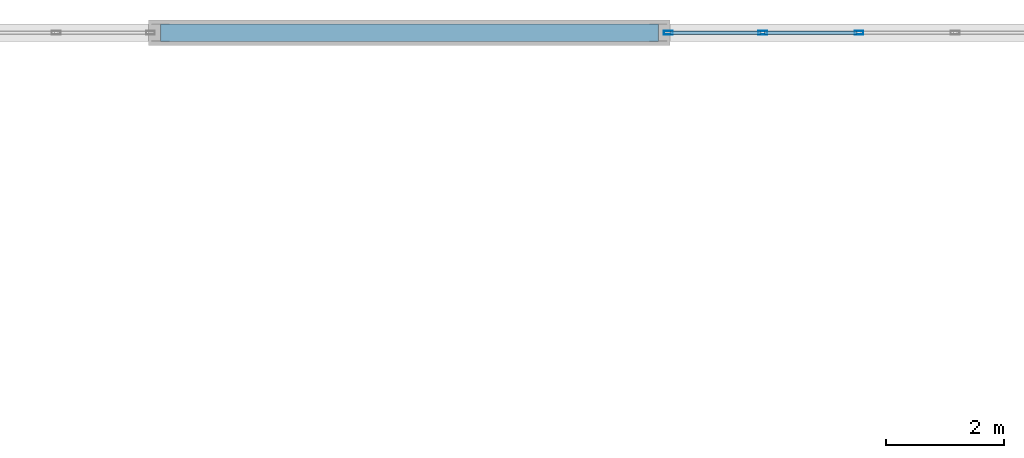
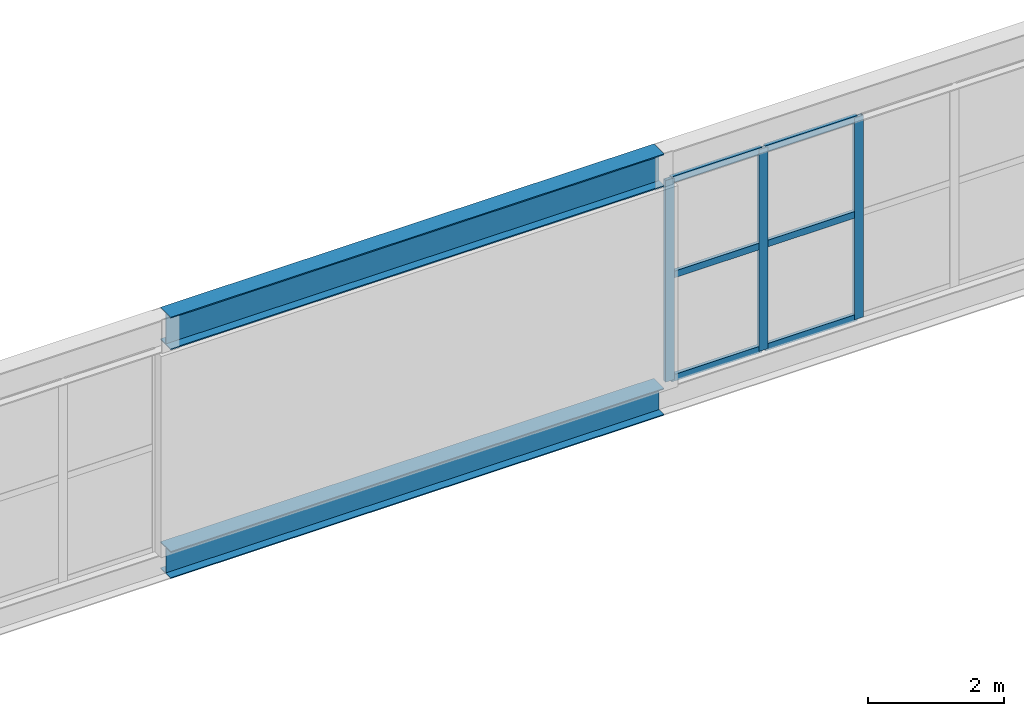
# One storey, part 176 of 218: 9 members, 2 beams, 1 element without a shape of its own.
"""IFC4 building model written with IfcOpenShell, lengths in metres."""

from ifc_helpers import new_model, si_unit, direction, frame, origin, origin_2d, place, context, subcontext, project, spatial, hollow_rectangle, i_section, extrude, material, material_profile, profile_set, type_object, element, aggregate, save


model = new_model("IFC4")

# Units and contexts
model_context = context("Model", 3, precision=1e-05, world=origin(), true_north=direction((0.0, 1.0)))
body_context = subcontext(model_context, "Body", "Model", "MODEL_VIEW")
ifc_project = project(units=[si_unit("LENGTHUNIT", "METRE"), si_unit("AREAUNIT", "SQUARE_METRE"), si_unit("VOLUMEUNIT", "CUBIC_METRE"), si_unit("PLANEANGLEUNIT", "RADIAN"), si_unit("MASSUNIT", "GRAM", prefix="KILO")], contexts=[model_context])

# Site, building, storey
site_placement = place(None, origin())
site = spatial("IfcSite", under=ifc_project, at=site_placement, CompositionType="ELEMENT")
building_placement = place(site_placement, origin())
building = spatial("IfcBuilding", under=site, at=building_placement, Name="Kazenagashi Tramway Depot", CompositionType="ELEMENT")
storey_placement = place(building_placement, frame((0.0, 0.0, 6.0)))
storey = spatial("IfcBuildingStorey", under=building, at=storey_placement, Name="L02", CompositionType="ELEMENT", Elevation=6.0)

# Curtain wall, members
ifc_material_1 = material(Name="Anodised Aluminium and Low-E Glazing", Category="aluminium")
curtain_wall_type = type_object("IfcCurtainWallType", Name="CW-15", PredefinedType="USERDEFINED", material=ifc_material_1)
curtain_wall_placement = place(storey_placement, origin())
curtain_wall = element("IfcCurtainWall", 1, at=curtain_wall_placement, inside=storey, type_object=curtain_wall_type, Name="Industrial Glazed Screen CW-15 CW-0094", ObjectType="GLAZED SCREEN", PredefinedType="USERDEFINED")
ifc_material_2 = material(Name="Anodised Aluminium", Category="aluminium")
ifc_material_profile_1 = material_profile(ifc_material_2, hollow_rectangle(XDim=0.06, YDim=0.15, WallThickness=0.004, at=origin_2d()), Name="RHS-150x60x4")
ifc_profile_set_1 = profile_set([ifc_material_profile_1], Name="Anodised Aluminium")
member_type_1 = type_object("IfcMemberType", Name="ML-01", PredefinedType="MULLION", material=ifc_profile_set_1)
member_1_placement = place(storey_placement, frame((187.77, 130.0, -0.02), z_axis=(0.0, 0.0, 1.0), x_axis=(0.0, 1.0, 0.0)))
member_1 = element("IfcMember", 2, at=member_1_placement, type_object=member_type_1, Name="CW-15 mullion 1", PredefinedType="MULLION", context=body_context, shape_type="SweptSolid", body=[
    extrude(hollow_rectangle(XDim=0.06, YDim=0.15, WallThickness=0.004, at=origin_2d()), origin(), (0.0, 0.0, 1.0), 3.632),
])
member_2_placement = place(storey_placement, frame((189.364, 130.0, -0.02), z_axis=(0.0, 0.0, 1.0), x_axis=(0.0, 1.0, 0.0)))
member_2 = element("IfcMember", 3, at=member_2_placement, type_object=member_type_1, Name="CW-15 mullion 2", PredefinedType="MULLION", context=body_context, shape_type="SweptSolid", body=[
    extrude(hollow_rectangle(XDim=0.06, YDim=0.15, WallThickness=0.004, at=origin_2d()), origin(), (0.0, 0.0, 1.0), 3.632),
])
member_3_placement = place(storey_placement, frame((190.988, 130.0, -0.02), z_axis=(0.0, 0.0, 1.0), x_axis=(0.0, 1.0, 0.0)))
member_3 = element("IfcMember", 4, at=member_3_placement, type_object=member_type_1, Name="CW-15 mullion 3", PredefinedType="MULLION", context=body_context, shape_type="SweptSolid", body=[
    extrude(hollow_rectangle(XDim=0.06, YDim=0.15, WallThickness=0.004, at=origin_2d()), origin(), (0.0, 0.0, 1.0), 3.632),
])

# Beams
ifc_material_3 = material(Name="Steel SN490B", Category="steel")
ifc_material_profile_2 = material_profile(ifc_material_3, i_section(OverallWidth=0.3, OverallDepth=0.588, WebThickness=0.012, FlangeThickness=0.02, at=origin_2d()), Name="H-588x300x12x20")
ifc_profile_set_2 = profile_set([ifc_material_profile_2], Name="Steel SN490B")
beam_type_1 = type_object("IfcBeamType", Name="SP-01", PredefinedType="SPANDREL", material=ifc_profile_set_2)
beam_1_placement = place(storey_placement, frame((179.2, 130.0, 3.906), z_axis=(1.0, 0.0, 0.0), x_axis=(0.0, 1.0, 0.0)))
element("IfcBeam", 5, at=beam_1_placement, inside=storey, type_object=beam_type_1, Name="Beam SP-01 BM-1896", PredefinedType="SPANDREL", context=body_context, shape_type="SweptSolid", body=[
    extrude(i_section(OverallWidth=0.3, OverallDepth=0.588, WebThickness=0.012, FlangeThickness=0.02, at=origin_2d()), origin(), (0.0, 0.0, 1.0), 8.4),
])
ifc_material_profile_3 = material_profile(ifc_material_3, i_section(OverallWidth=0.3, OverallDepth=0.488, WebThickness=0.011, FlangeThickness=0.018, at=origin_2d()), Name="H-488x300x11x18")
ifc_profile_set_3 = profile_set([ifc_material_profile_3], Name="Steel SN490B")
beam_type_2 = type_object("IfcBeamType", Name="SP-02", PredefinedType="SPANDREL", material=ifc_profile_set_3)
beam_2_placement = place(storey_placement, frame((179.2, 130.0, -0.264), z_axis=(1.0, 0.0, 0.0), x_axis=(0.0, 1.0, 0.0)))
element("IfcBeam", 6, at=beam_2_placement, inside=storey, type_object=beam_type_2, Name="Beam SP-02 BM-1840", PredefinedType="SPANDREL", context=body_context, shape_type="SweptSolid", body=[
    extrude(i_section(OverallWidth=0.3, OverallDepth=0.488, WebThickness=0.011, FlangeThickness=0.018, at=origin_2d()), origin(), (0.0, 0.0, 1.0), 8.4),
])

# Member
ifc_material_profile_4 = material_profile(ifc_material_2, hollow_rectangle(XDim=0.06, YDim=0.12, WallThickness=0.004, at=origin_2d()), Name="RHS-120x60x4")
ifc_profile_set_4 = profile_set([ifc_material_profile_4], Name="Anodised Aluminium")
member_type_2 = type_object("IfcMemberType", Name="TR-01", PredefinedType="USERDEFINED", material=ifc_profile_set_4)
member_4_placement = place(storey_placement, frame((187.8, 130.0, 0.01), z_axis=(1.0, 0.0, 0.0), x_axis=(0.0, 1.0, 0.0)))
member_4 = element("IfcMember", 7, at=member_4_placement, type_object=member_type_2, Name="CW-15 transom 1.1", ObjectType="TRANSOM", PredefinedType="USERDEFINED", context=body_context, shape_type="SweptSolid", body=[
    extrude(hollow_rectangle(XDim=0.06, YDim=0.12, WallThickness=0.004, at=origin_2d()), origin(), (0.0, 0.0, 1.0), 1.534),
])

member_5_placement = place(storey_placement, frame((187.8, 130.0, 1.869), z_axis=(1.0, 0.0, 0.0), x_axis=(0.0, 1.0, 0.0)))
member_5 = element("IfcMember", 8, at=member_5_placement, type_object=member_type_2, Name="CW-15 transom 1.2", ObjectType="TRANSOM", PredefinedType="USERDEFINED", context=body_context, shape_type="SweptSolid", body=[
    extrude(hollow_rectangle(XDim=0.06, YDim=0.12, WallThickness=0.004, at=origin_2d()), origin(), (0.0, 0.0, 1.0), 1.534),
])

member_6_placement = place(storey_placement, frame((187.8, 130.0, 3.582), z_axis=(1.0, 0.0, 0.0), x_axis=(0.0, 1.0, 0.0)))
member_6 = element("IfcMember", 9, at=member_6_placement, type_object=member_type_2, Name="CW-15 transom 1.3", ObjectType="TRANSOM", PredefinedType="USERDEFINED", context=body_context, shape_type="SweptSolid", body=[
    extrude(hollow_rectangle(XDim=0.06, YDim=0.12, WallThickness=0.004, at=origin_2d()), origin(), (0.0, 0.0, 1.0), 1.534),
])

member_7_placement = place(storey_placement, frame((189.394, 130.0, 0.01), z_axis=(1.0, 0.0, 0.0), x_axis=(0.0, 1.0, 0.0)))
member_7 = element("IfcMember", 10, at=member_7_placement, type_object=member_type_2, Name="CW-15 transom 2.1", ObjectType="TRANSOM", PredefinedType="USERDEFINED", context=body_context, shape_type="SweptSolid", body=[
    extrude(hollow_rectangle(XDim=0.06, YDim=0.12, WallThickness=0.004, at=origin_2d()), origin(), (0.0, 0.0, 1.0), 1.564),
])

member_8_placement = place(storey_placement, frame((189.394, 130.0, 1.869), z_axis=(1.0, 0.0, 0.0), x_axis=(0.0, 1.0, 0.0)))
member_8 = element("IfcMember", 11, at=member_8_placement, type_object=member_type_2, Name="CW-15 transom 2.2", ObjectType="TRANSOM", PredefinedType="USERDEFINED", context=body_context, shape_type="SweptSolid", body=[
    extrude(hollow_rectangle(XDim=0.06, YDim=0.12, WallThickness=0.004, at=origin_2d()), origin(), (0.0, 0.0, 1.0), 1.564),
])

member_9_placement = place(storey_placement, frame((189.394, 130.0, 3.582), z_axis=(1.0, 0.0, 0.0), x_axis=(0.0, 1.0, 0.0)))
member_9 = element("IfcMember", 12, at=member_9_placement, type_object=member_type_2, Name="CW-15 transom 2.3", ObjectType="TRANSOM", PredefinedType="USERDEFINED", context=body_context, shape_type="SweptSolid", body=[
    extrude(hollow_rectangle(XDim=0.06, YDim=0.12, WallThickness=0.004, at=origin_2d()), origin(), (0.0, 0.0, 1.0), 1.564),
])

aggregate(curtain_wall, [member_1, member_2, member_3, member_4, member_5, member_6, member_7, member_8, member_9])

save(model, "model.ifc")
